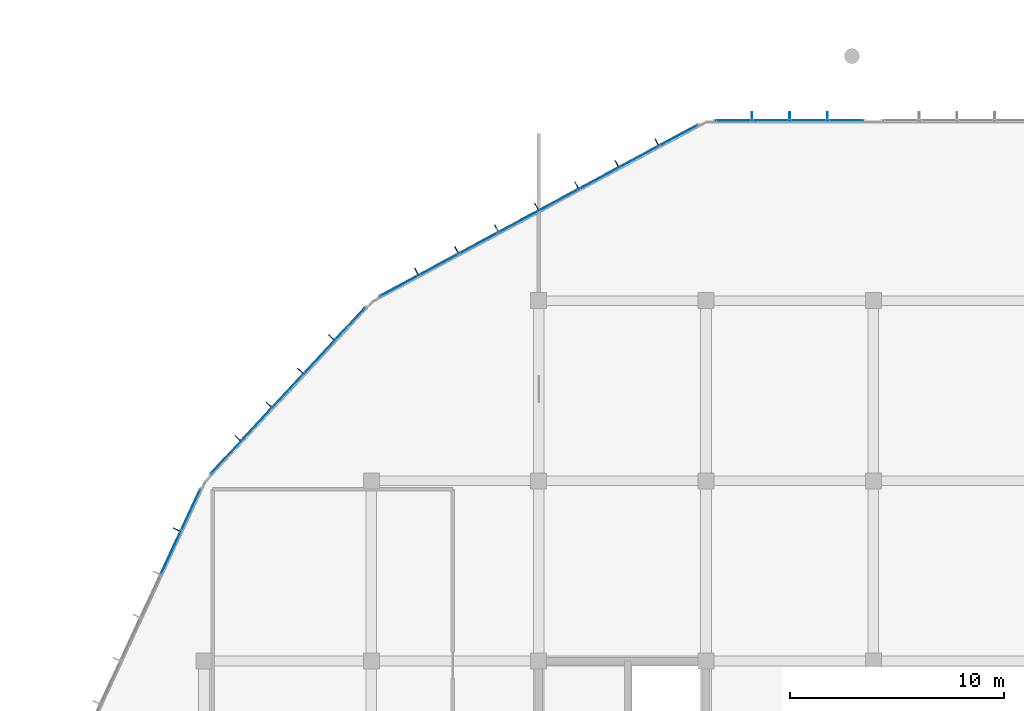
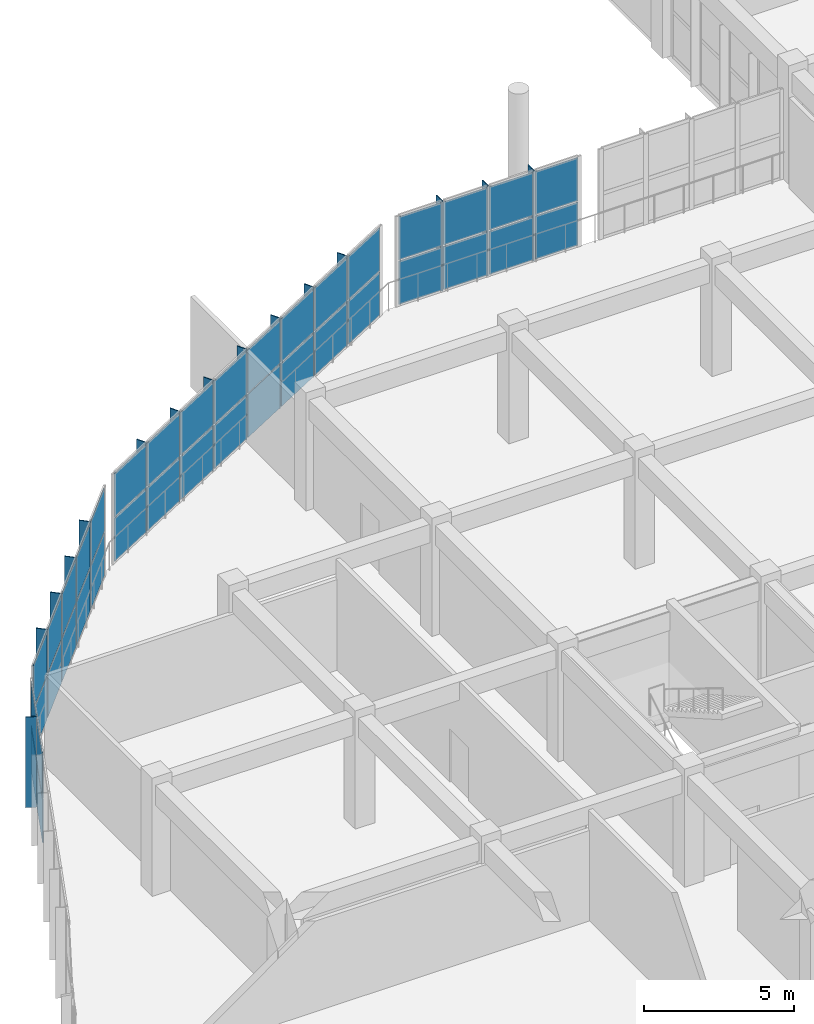
# One storey, part 140 of 175: 53 plates, 4 elements without a shape of their own.
"""IFC4 building model written with IfcOpenShell, lengths in metres."""

from ifc_helpers import new_model, si_unit, direction, frame, origin, origin_2d, place, context, subcontext, project, spatial, polyline, rectangle, outline, extrude, material, layer, layer_set, type_object, element, aggregate, save


model = new_model("IFC4")

# Units and contexts
model_context = context("Model", 3, precision=1e-05, world=origin(), true_north=direction((0.0, 1.0)))
body_context = subcontext(model_context, "Body", "Model", "MODEL_VIEW")
ifc_project = project(units=[si_unit("LENGTHUNIT", "METRE"), si_unit("AREAUNIT", "SQUARE_METRE"), si_unit("VOLUMEUNIT", "CUBIC_METRE"), si_unit("PLANEANGLEUNIT", "RADIAN"), si_unit("MASSUNIT", "GRAM", prefix="KILO")], contexts=[model_context])

# Site, building, storey
site_placement = place(None, origin())
site = spatial("IfcSite", under=ifc_project, at=site_placement, CompositionType="ELEMENT")
building_placement = place(site_placement, origin())
building = spatial("IfcBuilding", under=site, at=building_placement, Name="Zizhar Promenade General Hospital", CompositionType="ELEMENT")
storey_placement = place(building_placement, frame((0.0, 0.0, 4.800048828125)))
storey = spatial("IfcBuildingStorey", under=building, at=storey_placement, Name="L01", CompositionType="ELEMENT", Elevation=4.800048828125)

# Curtain wall, plates
ifc_material_1 = material(Name="Anodised aluminium 6063-T6 and low-E glass", Category="aluminium")
ifc_layer_1 = layer(ifc_material_1, 0.159912109375)
ifc_layer_set_1 = layer_set([ifc_layer_1], Name="Anodised aluminium 6063-T6 and low-E glass")
curtain_wall_type = type_object("IfcCurtainWallType", Name="CW-DT-MOD2", PredefinedType="NOTDEFINED", material=ifc_layer_set_1)
curtain_wall_1_placement = place(storey_placement, origin())
curtain_wall_1 = element("IfcCurtainWall", 1, at=curtain_wall_1_placement, inside=storey, type_object=curtain_wall_type, Name="West Diagnostic Arm Glazed Curtain Wall L01-NW1", PredefinedType="NOTDEFINED")
ifc_material_2 = material(Name="Low-E solar-control glass", Category="glass")
ifc_layer_2 = layer(ifc_material_2, 0.031982421875)
ifc_layer_set_2 = layer_set([ifc_layer_2], Name="Low-E solar-control glass")
plate_type_1 = type_object("IfcPlateType", Name="CWP-GLZ-32", PredefinedType="CURTAIN_PANEL", material=ifc_layer_set_2)
plate_1_placement = place(storey_placement, frame((6.237548828125, 63.83447265625, 0.06005859375), z_axis=(0.0, 0.0, 1.0), x_axis=(0.421114945486, 0.907007278189, 0.0)))
plate_1 = element("IfcPlate", 2, at=plate_1_placement, type_object=plate_type_1, Name="CW-08 panel 7.1", PredefinedType="CURTAIN_PANEL", context=body_context, shape_type="SweptSolid", body=[
    extrude(rectangle(XDim=2.140380859375, YDim=0.031982421875, at=origin_2d()), origin(), (0.0, 0.0, 1.0), 1.75),
])
plate_2_placement = place(storey_placement, frame((6.237548828125, 63.83447265625, 1.869873046875), z_axis=(0.0, 0.0, 1.0), x_axis=(0.421114945486, 0.907007278189, 0.0)))
plate_2 = element("IfcPlate", 3, at=plate_2_placement, type_object=plate_type_1, Name="CW-08 panel 7.2", PredefinedType="CURTAIN_PANEL", context=body_context, shape_type="SweptSolid", body=[
    extrude(rectangle(XDim=2.140380859375, YDim=0.031982421875, at=origin_2d()), origin(), (0.0, 0.0, 1.0), 1.75),
])
plate_3_placement = place(storey_placement, frame((7.1640625, 65.830322265625, 0.06005859375), z_axis=(0.0, 0.0, 1.0), x_axis=(0.421114945486, 0.907007278189, 0.0)))
plate_3 = element("IfcPlate", 4, at=plate_3_placement, type_object=plate_type_1, Name="CW-08 panel 8.1", PredefinedType="CURTAIN_PANEL", context=body_context, shape_type="SweptSolid", body=[
    extrude(rectangle(XDim=2.100341796875, YDim=0.031982421875, at=origin_2d()), origin(), (0.0, 0.0, 1.0), 1.75),
])
plate_4_placement = place(storey_placement, frame((7.1640625, 65.830322265625, 1.869873046875), z_axis=(0.0, 0.0, 1.0), x_axis=(0.421114945486, 0.907007278189, 0.0)))
plate_4 = element("IfcPlate", 5, at=plate_4_placement, type_object=plate_type_1, Name="CW-08 panel 8.2", PredefinedType="CURTAIN_PANEL", context=body_context, shape_type="SweptSolid", body=[
    extrude(rectangle(XDim=2.100341796875, YDim=0.031982421875, at=origin_2d()), origin(), (0.0, 0.0, 1.0), 1.75),
])
aggregate(curtain_wall_1, [plate_1, plate_2, plate_3, plate_4])

curtain_wall_2_placement = place(storey_placement, origin())
curtain_wall_2 = element("IfcCurtainWall", 6, at=curtain_wall_2_placement, inside=storey, type_object=curtain_wall_type, Name="West Diagnostic Arm Glazed Curtain Wall L01-NW2", PredefinedType="NOTDEFINED")
plate_5_placement = place(storey_placement, frame((8.800537109375, 68.27734375, 0.06005859375), z_axis=(0.0, 0.0, 1.0), x_axis=(0.680451816108, 0.732792826081, 0.0)))
plate_5 = element("IfcPlate", 7, at=plate_5_placement, type_object=plate_type_1, Name="CW-08 panel 1.1", PredefinedType="CURTAIN_PANEL", context=body_context, shape_type="SweptSolid", body=[
    extrude(rectangle(XDim=2.0205078125, YDim=0.031982421875, at=origin_2d()), origin(), (0.0, 0.0, 1.0), 1.75),
])
plate_6_placement = place(storey_placement, frame((8.800537109375, 68.27734375, 1.869873046875), z_axis=(0.0, 0.0, 1.0), x_axis=(0.680451816108, 0.732792826081, 0.0)))
plate_6 = element("IfcPlate", 8, at=plate_6_placement, type_object=plate_type_1, Name="CW-08 panel 1.2", PredefinedType="CURTAIN_PANEL", context=body_context, shape_type="SweptSolid", body=[
    extrude(rectangle(XDim=2.0205078125, YDim=0.031982421875, at=origin_2d()), origin(), (0.0, 0.0, 1.0), 1.75),
])
plate_7_placement = place(storey_placement, frame((10.243408203125, 69.831298828125, 0.06005859375), z_axis=(0.0, 0.0, 1.0), x_axis=(0.680451816108, 0.732792826081, 0.0)))
plate_7 = element("IfcPlate", 9, at=plate_7_placement, type_object=plate_type_1, Name="CW-08 panel 2.1", PredefinedType="CURTAIN_PANEL", context=body_context, shape_type="SweptSolid", body=[
    extrude(rectangle(XDim=2.060546875, YDim=0.031982421875, at=origin_2d()), origin(), (0.0, 0.0, 1.0), 1.75),
])
plate_8_placement = place(storey_placement, frame((10.243408203125, 69.831298828125, 1.869873046875), z_axis=(0.0, 0.0, 1.0), x_axis=(0.680451816108, 0.732792826081, 0.0)))
plate_8 = element("IfcPlate", 10, at=plate_8_placement, type_object=plate_type_1, Name="CW-08 panel 2.2", PredefinedType="CURTAIN_PANEL", context=body_context, shape_type="SweptSolid", body=[
    extrude(rectangle(XDim=2.060546875, YDim=0.031982421875, at=origin_2d()), origin(), (0.0, 0.0, 1.0), 1.75),
])
plate_9_placement = place(storey_placement, frame((11.699951171875, 71.39990234375, 0.06005859375), z_axis=(0.0, 0.0, 1.0), x_axis=(0.680451816108, 0.732792826081, 0.0)))
plate_9 = element("IfcPlate", 11, at=plate_9_placement, type_object=plate_type_1, Name="CW-08 panel 3.1", PredefinedType="CURTAIN_PANEL", context=body_context, shape_type="SweptSolid", body=[
    extrude(rectangle(XDim=2.060546875, YDim=0.031982421875, at=origin_2d()), origin(), (0.0, 0.0, 1.0), 1.75),
])
plate_10_placement = place(storey_placement, frame((11.699951171875, 71.39990234375, 1.869873046875), z_axis=(0.0, 0.0, 1.0), x_axis=(0.680451816108, 0.732792826081, 0.0)))
plate_10 = element("IfcPlate", 12, at=plate_10_placement, type_object=plate_type_1, Name="CW-08 panel 3.2", PredefinedType="CURTAIN_PANEL", context=body_context, shape_type="SweptSolid", body=[
    extrude(rectangle(XDim=2.060546875, YDim=0.031982421875, at=origin_2d()), origin(), (0.0, 0.0, 1.0), 1.75),
])
plate_11_placement = place(storey_placement, frame((13.156494140625, 72.968505859375, 0.06005859375), z_axis=(0.0, 0.0, 1.0), x_axis=(0.680451816108, 0.732792826081, 0.0)))
plate_11 = element("IfcPlate", 13, at=plate_11_placement, type_object=plate_type_1, Name="CW-08 panel 4.1", PredefinedType="CURTAIN_PANEL", context=body_context, shape_type="SweptSolid", body=[
    extrude(rectangle(XDim=2.060546875, YDim=0.031982421875, at=origin_2d()), origin(), (0.0, 0.0, 1.0), 1.75),
])
plate_12_placement = place(storey_placement, frame((13.156494140625, 72.968505859375, 1.869873046875), z_axis=(0.0, 0.0, 1.0), x_axis=(0.680451816108, 0.732792826081, 0.0)))
plate_12 = element("IfcPlate", 14, at=plate_12_placement, type_object=plate_type_1, Name="CW-08 panel 4.2", PredefinedType="CURTAIN_PANEL", context=body_context, shape_type="SweptSolid", body=[
    extrude(rectangle(XDim=2.060546875, YDim=0.031982421875, at=origin_2d()), origin(), (0.0, 0.0, 1.0), 1.75),
])
plate_13_placement = place(storey_placement, frame((14.599609375, 74.5224609375, 0.06005859375), z_axis=(0.0, 0.0, 1.0), x_axis=(0.680451816108, 0.732792826081, 0.0)))
plate_13 = element("IfcPlate", 15, at=plate_13_placement, type_object=plate_type_1, Name="CW-08 panel 5.1", PredefinedType="CURTAIN_PANEL", context=body_context, shape_type="SweptSolid", body=[
    extrude(rectangle(XDim=2.0205078125, YDim=0.031982421875, at=origin_2d()), origin(), (0.0, 0.0, 1.0), 1.75),
])
plate_14_placement = place(storey_placement, frame((14.599609375, 74.5224609375, 1.869873046875), z_axis=(0.0, 0.0, 1.0), x_axis=(0.680451816108, 0.732792826081, 0.0)))
plate_14 = element("IfcPlate", 16, at=plate_14_placement, type_object=plate_type_1, Name="CW-08 panel 5.2", PredefinedType="CURTAIN_PANEL", context=body_context, shape_type="SweptSolid", body=[
    extrude(rectangle(XDim=2.0205078125, YDim=0.031982421875, at=origin_2d()), origin(), (0.0, 0.0, 1.0), 1.75),
])
aggregate(curtain_wall_2, [plate_5, plate_6, plate_7, plate_8, plate_9, plate_10, plate_11, plate_12, plate_13, plate_14])

curtain_wall_3_placement = place(storey_placement, origin())
curtain_wall_3 = element("IfcCurtainWall", 17, at=curtain_wall_3_placement, inside=storey, type_object=curtain_wall_type, Name="West Diagnostic Arm Glazed Curtain Wall L01-NW3", PredefinedType="NOTDEFINED")
plate_15_placement = place(storey_placement, frame((16.885498046875, 76.292236328125, 0.06005859375), z_axis=(0.0, 0.0, 1.0), x_axis=(0.880472614749, 0.474097009774, 0.0)))
plate_15 = element("IfcPlate", 18, at=plate_15_placement, type_object=plate_type_1, Name="CW-08 panel 1.1", PredefinedType="CURTAIN_PANEL", context=body_context, shape_type="SweptSolid", body=[
    extrude(rectangle(XDim=1.999755859375, YDim=0.031982421875, at=origin_2d()), origin(), (0.0, 0.0, 1.0), 1.75),
])
plate_16_placement = place(storey_placement, frame((16.885498046875, 76.292236328125, 1.869873046875), z_axis=(0.0, 0.0, 1.0), x_axis=(0.880472614749, 0.474097009774, 0.0)))
plate_16 = element("IfcPlate", 19, at=plate_16_placement, type_object=plate_type_1, Name="CW-08 panel 1.2", PredefinedType="CURTAIN_PANEL", context=body_context, shape_type="SweptSolid", body=[
    extrude(rectangle(XDim=1.999755859375, YDim=0.031982421875, at=origin_2d()), origin(), (0.0, 0.0, 1.0), 1.75),
])
plate_17_placement = place(storey_placement, frame((18.734130859375, 77.28759765625, 0.06005859375), z_axis=(0.0, 0.0, 1.0), x_axis=(0.880472614749, 0.474097009774, 0.0)))
plate_17 = element("IfcPlate", 20, at=plate_17_placement, type_object=plate_type_1, Name="CW-08 panel 2.1", PredefinedType="CURTAIN_PANEL", context=body_context, shape_type="SweptSolid", body=[
    extrude(rectangle(XDim=2.039794921875, YDim=0.031982421875, at=origin_2d()), origin(), (0.0, 0.0, 1.0), 1.75),
])
plate_18_placement = place(storey_placement, frame((18.734130859375, 77.28759765625, 1.869873046875), z_axis=(0.0, 0.0, 1.0), x_axis=(0.880472614749, 0.474097009774, 0.0)))
plate_18 = element("IfcPlate", 21, at=plate_18_placement, type_object=plate_type_1, Name="CW-08 panel 2.2", PredefinedType="CURTAIN_PANEL", context=body_context, shape_type="SweptSolid", body=[
    extrude(rectangle(XDim=2.039794921875, YDim=0.031982421875, at=origin_2d()), origin(), (0.0, 0.0, 1.0), 1.75),
])
plate_19_placement = place(storey_placement, frame((20.6005859375, 78.29248046875, 0.06005859375), z_axis=(0.0, 0.0, 1.0), x_axis=(0.880472614749, 0.474097009774, 0.0)))
plate_19 = element("IfcPlate", 22, at=plate_19_placement, type_object=plate_type_1, Name="CW-08 panel 3.1", PredefinedType="CURTAIN_PANEL", context=body_context, shape_type="SweptSolid", body=[
    extrude(rectangle(XDim=2.039794921875, YDim=0.031982421875, at=origin_2d()), origin(), (0.0, 0.0, 1.0), 1.75),
])
plate_20_placement = place(storey_placement, frame((20.6005859375, 78.29248046875, 1.869873046875), z_axis=(0.0, 0.0, 1.0), x_axis=(0.880472614749, 0.474097009774, 0.0)))
plate_20 = element("IfcPlate", 23, at=plate_20_placement, type_object=plate_type_1, Name="CW-08 panel 3.2", PredefinedType="CURTAIN_PANEL", context=body_context, shape_type="SweptSolid", body=[
    extrude(rectangle(XDim=2.039794921875, YDim=0.031982421875, at=origin_2d()), origin(), (0.0, 0.0, 1.0), 1.75),
])
plate_21_placement = place(storey_placement, frame((22.466796875, 79.297607421875, 0.06005859375), z_axis=(0.0, 0.0, 1.0), x_axis=(0.880472614749, 0.474097009774, 0.0)))
plate_21 = element("IfcPlate", 24, at=plate_21_placement, type_object=plate_type_1, Name="CW-08 panel 4.1", PredefinedType="CURTAIN_PANEL", context=body_context, shape_type="SweptSolid", body=[
    extrude(rectangle(XDim=2.039794921875, YDim=0.031982421875, at=origin_2d()), origin(), (0.0, 0.0, 1.0), 1.75),
])
plate_22_placement = place(storey_placement, frame((22.466796875, 79.297607421875, 1.869873046875), z_axis=(0.0, 0.0, 1.0), x_axis=(0.880472614749, 0.474097009774, 0.0)))
plate_22 = element("IfcPlate", 25, at=plate_22_placement, type_object=plate_type_1, Name="CW-08 panel 4.2", PredefinedType="CURTAIN_PANEL", context=body_context, shape_type="SweptSolid", body=[
    extrude(rectangle(XDim=2.039794921875, YDim=0.031982421875, at=origin_2d()), origin(), (0.0, 0.0, 1.0), 1.75),
])
plate_23_placement = place(storey_placement, frame((24.333251953125, 80.302490234375, 0.06005859375), z_axis=(0.0, 0.0, 1.0), x_axis=(0.880472614749, 0.474097009774, 0.0)))
plate_23 = element("IfcPlate", 26, at=plate_23_placement, type_object=plate_type_1, Name="CW-08 panel 5.1", PredefinedType="CURTAIN_PANEL", context=body_context, shape_type="SweptSolid", body=[
    extrude(rectangle(XDim=2.039794921875, YDim=0.031982421875, at=origin_2d()), origin(), (0.0, 0.0, 1.0), 1.75),
])
plate_24_placement = place(storey_placement, frame((24.333251953125, 80.302490234375, 1.869873046875), z_axis=(0.0, 0.0, 1.0), x_axis=(0.880472614749, 0.474097009774, 0.0)))
plate_24 = element("IfcPlate", 27, at=plate_24_placement, type_object=plate_type_1, Name="CW-08 panel 5.2", PredefinedType="CURTAIN_PANEL", context=body_context, shape_type="SweptSolid", body=[
    extrude(rectangle(XDim=2.039794921875, YDim=0.031982421875, at=origin_2d()), origin(), (0.0, 0.0, 1.0), 1.75),
])
plate_25_placement = place(storey_placement, frame((26.199462890625, 81.307373046875, 0.06005859375), z_axis=(0.0, 0.0, 1.0), x_axis=(0.880472614749, 0.474097009774, 0.0)))
plate_25 = element("IfcPlate", 28, at=plate_25_placement, type_object=plate_type_1, Name="CW-08 panel 6.1", PredefinedType="CURTAIN_PANEL", context=body_context, shape_type="SweptSolid", body=[
    extrude(rectangle(XDim=2.039794921875, YDim=0.031982421875, at=origin_2d()), origin(), (0.0, 0.0, 1.0), 1.75),
])
plate_26_placement = place(storey_placement, frame((26.199462890625, 81.307373046875, 1.869873046875), z_axis=(0.0, 0.0, 1.0), x_axis=(0.880472614749, 0.474097009774, 0.0)))
plate_26 = element("IfcPlate", 29, at=plate_26_placement, type_object=plate_type_1, Name="CW-08 panel 6.2", PredefinedType="CURTAIN_PANEL", context=body_context, shape_type="SweptSolid", body=[
    extrude(rectangle(XDim=2.039794921875, YDim=0.031982421875, at=origin_2d()), origin(), (0.0, 0.0, 1.0), 1.75),
])
plate_27_placement = place(storey_placement, frame((28.06591796875, 82.312255859375, 0.06005859375), z_axis=(0.0, 0.0, 1.0), x_axis=(0.880472614749, 0.474097009774, 0.0)))
plate_27 = element("IfcPlate", 30, at=plate_27_placement, type_object=plate_type_1, Name="CW-08 panel 7.1", PredefinedType="CURTAIN_PANEL", context=body_context, shape_type="SweptSolid", body=[
    extrude(rectangle(XDim=2.039794921875, YDim=0.031982421875, at=origin_2d()), origin(), (0.0, 0.0, 1.0), 1.75),
])
plate_28_placement = place(storey_placement, frame((28.06591796875, 82.312255859375, 1.869873046875), z_axis=(0.0, 0.0, 1.0), x_axis=(0.880472614749, 0.474097009774, 0.0)))
plate_28 = element("IfcPlate", 31, at=plate_28_placement, type_object=plate_type_1, Name="CW-08 panel 7.2", PredefinedType="CURTAIN_PANEL", context=body_context, shape_type="SweptSolid", body=[
    extrude(rectangle(XDim=2.039794921875, YDim=0.031982421875, at=origin_2d()), origin(), (0.0, 0.0, 1.0), 1.75),
])
plate_29_placement = place(storey_placement, frame((29.91455078125, 83.307861328125, 0.06005859375), z_axis=(0.0, 0.0, 1.0), x_axis=(0.880472614749, 0.474097009774, 0.0)))
plate_29 = element("IfcPlate", 32, at=plate_29_placement, type_object=plate_type_1, Name="CW-08 panel 8.1", PredefinedType="CURTAIN_PANEL", context=body_context, shape_type="SweptSolid", body=[
    extrude(rectangle(XDim=1.999755859375, YDim=0.031982421875, at=origin_2d()), origin(), (0.0, 0.0, 1.0), 1.75),
])
plate_30_placement = place(storey_placement, frame((29.91455078125, 83.307861328125, 1.869873046875), z_axis=(0.0, 0.0, 1.0), x_axis=(0.880472614749, 0.474097009774, 0.0)))
plate_30 = element("IfcPlate", 33, at=plate_30_placement, type_object=plate_type_1, Name="CW-08 panel 8.2", PredefinedType="CURTAIN_PANEL", context=body_context, shape_type="SweptSolid", body=[
    extrude(rectangle(XDim=1.999755859375, YDim=0.031982421875, at=origin_2d()), origin(), (0.0, 0.0, 1.0), 1.75),
])
aggregate(curtain_wall_3, [plate_15, plate_16, plate_17, plate_18, plate_19, plate_20, plate_21, plate_22, plate_23, plate_24, plate_25, plate_26, plate_27, plate_28, plate_29, plate_30])

curtain_wall_4_placement = place(storey_placement, origin())
curtain_wall_4 = element("IfcCurtainWall", 34, at=curtain_wall_4_placement, inside=storey, type_object=curtain_wall_type, Name="West Diagnostic Arm Glazed Curtain Wall L01-N1", PredefinedType="NOTDEFINED")
plate_31_placement = place(storey_placement, frame((32.47998046875, 84.0, 0.06005859375), z_axis=(0.0, 0.0, 1.0), x_axis=(1.0, 0.0, 0.0)))
plate_31 = element("IfcPlate", 35, at=plate_31_placement, type_object=plate_type_1, Name="CW-08 panel 1.1", PredefinedType="CURTAIN_PANEL", context=body_context, shape_type="SweptSolid", body=[
    extrude(rectangle(XDim=1.639892578125, YDim=0.031982421875, at=origin_2d()), origin(), (0.0, 0.0, 1.0), 1.75),
])
plate_32_placement = place(storey_placement, frame((32.47998046875, 84.0, 1.869873046875), z_axis=(0.0, 0.0, 1.0), x_axis=(1.0, 0.0, 0.0)))
plate_32 = element("IfcPlate", 36, at=plate_32_placement, type_object=plate_type_1, Name="CW-08 panel 1.2", PredefinedType="CURTAIN_PANEL", context=body_context, shape_type="SweptSolid", body=[
    extrude(rectangle(XDim=1.639892578125, YDim=0.031982421875, at=origin_2d()), origin(), (0.0, 0.0, 1.0), 1.75),
])
plate_33_placement = place(storey_placement, frame((34.219970703125, 84.0, 0.06005859375), z_axis=(0.0, 0.0, 1.0), x_axis=(1.0, 0.0, 0.0)))
plate_33 = element("IfcPlate", 37, at=plate_33_placement, type_object=plate_type_1, Name="CW-08 panel 2.1", PredefinedType="CURTAIN_PANEL", context=body_context, shape_type="SweptSolid", body=[
    extrude(rectangle(XDim=1.679931640625, YDim=0.031982421875, at=origin_2d()), origin(), (0.0, 0.0, 1.0), 1.75),
])
plate_34_placement = place(storey_placement, frame((34.219970703125, 84.0, 1.869873046875), z_axis=(0.0, 0.0, 1.0), x_axis=(1.0, 0.0, 0.0)))
plate_34 = element("IfcPlate", 38, at=plate_34_placement, type_object=plate_type_1, Name="CW-08 panel 2.2", PredefinedType="CURTAIN_PANEL", context=body_context, shape_type="SweptSolid", body=[
    extrude(rectangle(XDim=1.679931640625, YDim=0.031982421875, at=origin_2d()), origin(), (0.0, 0.0, 1.0), 1.75),
])
plate_35_placement = place(storey_placement, frame((35.97998046875, 84.0, 0.06005859375), z_axis=(0.0, 0.0, 1.0), x_axis=(1.0, 0.0, 0.0)))
plate_35 = element("IfcPlate", 39, at=plate_35_placement, type_object=plate_type_1, Name="CW-08 panel 3.1", PredefinedType="CURTAIN_PANEL", context=body_context, shape_type="SweptSolid", body=[
    extrude(rectangle(XDim=1.679931640625, YDim=0.031982421875, at=origin_2d()), origin(), (0.0, 0.0, 1.0), 1.75),
])
plate_36_placement = place(storey_placement, frame((35.97998046875, 84.0, 1.869873046875), z_axis=(0.0, 0.0, 1.0), x_axis=(1.0, 0.0, 0.0)))
plate_36 = element("IfcPlate", 40, at=plate_36_placement, type_object=plate_type_1, Name="CW-08 panel 3.2", PredefinedType="CURTAIN_PANEL", context=body_context, shape_type="SweptSolid", body=[
    extrude(rectangle(XDim=1.679931640625, YDim=0.031982421875, at=origin_2d()), origin(), (0.0, 0.0, 1.0), 1.75),
])
plate_37_placement = place(storey_placement, frame((37.719970703125, 84.0, 0.06005859375), z_axis=(0.0, 0.0, 1.0), x_axis=(1.0, 0.0, 0.0)))
plate_37 = element("IfcPlate", 41, at=plate_37_placement, type_object=plate_type_1, Name="CW-08 panel 4.1", PredefinedType="CURTAIN_PANEL", context=body_context, shape_type="SweptSolid", body=[
    extrude(rectangle(XDim=1.639892578125, YDim=0.031982421875, at=origin_2d()), origin(), (0.0, 0.0, 1.0), 1.75),
])
plate_38_placement = place(storey_placement, frame((37.719970703125, 84.0, 1.869873046875), z_axis=(0.0, 0.0, 1.0), x_axis=(1.0, 0.0, 0.0)))
plate_38 = element("IfcPlate", 42, at=plate_38_placement, type_object=plate_type_1, Name="CW-08 panel 4.2", PredefinedType="CURTAIN_PANEL", context=body_context, shape_type="SweptSolid", body=[
    extrude(rectangle(XDim=1.639892578125, YDim=0.031982421875, at=origin_2d()), origin(), (0.0, 0.0, 1.0), 1.75),
])
aggregate(curtain_wall_4, [plate_31, plate_32, plate_33, plate_34, plate_35, plate_36, plate_37, plate_38])

# Plates
ifc_material_3 = material(Name="Anodised aluminium 6063-T6", Category="aluminium")
ifc_layer_3 = layer(ifc_material_3, 0.035888671875)
ifc_layer_set_3 = layer_set([ifc_layer_3], Name="Anodised aluminium 6063-T6")
plate_type_2 = type_object("IfcPlateType", Name="FIN-ALU-380", PredefinedType="USERDEFINED", material=ifc_layer_set_3)
plate_39_placement = place(storey_placement, origin())
element("IfcPlate", 43, at=plate_39_placement, inside=storey, type_object=plate_type_2, Name="West Diagnostic Arm Glazed Curtain Wall L01-NW1 Solar Fin 7", ObjectType="SOLAR_SHADE", PredefinedType="USERDEFINED", context=body_context, shape_type="SweptSolid", body=[
    extrude(outline(polyline([(6.697509765625, 64.8251953125), (6.712646484375, 64.85791015625), (6.367919921875, 65.017822265625), (6.352783203125, 64.985107421875), (6.697509765625, 64.8251953125)])), origin(), (0.0, 0.0, 1.0), 3.679931640625),
])
plate_40_placement = place(storey_placement, origin())
element("IfcPlate", 44, at=plate_40_placement, inside=storey, type_object=plate_type_2, Name="West Diagnostic Arm Glazed Curtain Wall L01-NW2 Solar Fin 1", ObjectType="SOLAR_SHADE", PredefinedType="USERDEFINED", context=body_context, shape_type="SweptSolid", body=[
    extrude(outline(polyline([(9.5029296875, 69.033935546875), (9.52734375, 69.060302734375), (9.248779296875, 69.31884765625), (9.224609375, 69.29248046875), (9.5029296875, 69.033935546875)])), origin(), (0.0, 0.0, 1.0), 3.679931640625),
])
plate_41_placement = place(storey_placement, origin())
element("IfcPlate", 45, at=plate_41_placement, inside=storey, type_object=plate_type_2, Name="West Diagnostic Arm Glazed Curtain Wall L01-NW2 Solar Fin 2", ObjectType="SOLAR_SHADE", PredefinedType="USERDEFINED", context=body_context, shape_type="SweptSolid", body=[
    extrude(outline(polyline([(10.95947265625, 70.6025390625), (10.98388671875, 70.62890625), (10.70556640625, 70.887451171875), (10.680908203125, 70.861083984375), (10.95947265625, 70.6025390625)])), origin(), (0.0, 0.0, 1.0), 3.679931640625),
])
plate_42_placement = place(storey_placement, origin())
element("IfcPlate", 46, at=plate_42_placement, inside=storey, type_object=plate_type_2, Name="West Diagnostic Arm Glazed Curtain Wall L01-NW2 Solar Fin 3", ObjectType="SOLAR_SHADE", PredefinedType="USERDEFINED", context=body_context, shape_type="SweptSolid", body=[
    extrude(outline(polyline([(12.416015625, 72.171142578125), (12.4404296875, 72.197509765625), (12.162109375, 72.4560546875), (12.1376953125, 72.4296875), (12.416015625, 72.171142578125)])), origin(), (0.0, 0.0, 1.0), 3.679931640625),
])
plate_43_placement = place(storey_placement, origin())
element("IfcPlate", 47, at=plate_43_placement, inside=storey, type_object=plate_type_2, Name="West Diagnostic Arm Glazed Curtain Wall L01-NW2 Solar Fin 4", ObjectType="SOLAR_SHADE", PredefinedType="USERDEFINED", context=body_context, shape_type="SweptSolid", body=[
    extrude(outline(polyline([(13.87255859375, 73.73974609375), (13.897216796875, 73.76611328125), (13.61865234375, 74.024658203125), (13.593994140625, 73.998291015625), (13.87255859375, 73.73974609375)])), origin(), (0.0, 0.0, 1.0), 3.679931640625),
])
plate_44_placement = place(storey_placement, origin())
element("IfcPlate", 48, at=plate_44_placement, inside=storey, type_object=plate_type_2, Name="West Diagnostic Arm Glazed Curtain Wall L01-NW3 Solar Fin 1", ObjectType="SOLAR_SHADE", PredefinedType="USERDEFINED", context=body_context, shape_type="SweptSolid", body=[
    extrude(outline(polyline([(17.78515625, 76.776611328125), (17.81689453125, 76.793701171875), (17.63671875, 77.12841796875), (17.60498046875, 77.111083984375), (17.78515625, 76.776611328125)])), origin(), (0.0, 0.0, 1.0), 3.679931640625),
])
plate_45_placement = place(storey_placement, origin())
element("IfcPlate", 49, at=plate_45_placement, inside=storey, type_object=plate_type_2, Name="West Diagnostic Arm Glazed Curtain Wall L01-NW3 Solar Fin 2", ObjectType="SOLAR_SHADE", PredefinedType="USERDEFINED", context=body_context, shape_type="SweptSolid", body=[
    extrude(outline(polyline([(19.651611328125, 77.781494140625), (19.68310546875, 77.798583984375), (19.5029296875, 78.13330078125), (19.47119140625, 78.1162109375), (19.651611328125, 77.781494140625)])), origin(), (0.0, 0.0, 1.0), 3.679931640625),
])
plate_46_placement = place(storey_placement, origin())
element("IfcPlate", 50, at=plate_46_placement, inside=storey, type_object=plate_type_2, Name="West Diagnostic Arm Glazed Curtain Wall L01-NW3 Solar Fin 3", ObjectType="SOLAR_SHADE", PredefinedType="USERDEFINED", context=body_context, shape_type="SweptSolid", body=[
    extrude(outline(polyline([(21.517822265625, 78.78662109375), (21.549560546875, 78.8037109375), (21.369384765625, 79.13818359375), (21.337646484375, 79.12109375), (21.517822265625, 78.78662109375)])), origin(), (0.0, 0.0, 1.0), 3.679931640625),
])
plate_47_placement = place(storey_placement, origin())
element("IfcPlate", 51, at=plate_47_placement, inside=storey, type_object=plate_type_2, Name="West Diagnostic Arm Glazed Curtain Wall L01-NW3 Solar Fin 4", ObjectType="SOLAR_SHADE", PredefinedType="USERDEFINED", context=body_context, shape_type="SweptSolid", body=[
    extrude(outline(polyline([(23.38427734375, 79.79150390625), (23.415771484375, 79.80859375), (23.235595703125, 80.14306640625), (23.2041015625, 80.1259765625), (23.38427734375, 79.79150390625)])), origin(), (0.0, 0.0, 1.0), 3.679931640625),
])
plate_48_placement = place(storey_placement, origin())
element("IfcPlate", 52, at=plate_48_placement, inside=storey, type_object=plate_type_2, Name="West Diagnostic Arm Glazed Curtain Wall L01-NW3 Solar Fin 5", ObjectType="SOLAR_SHADE", PredefinedType="USERDEFINED", context=body_context, shape_type="SweptSolid", body=[
    extrude(outline(polyline([(25.25048828125, 80.79638671875), (25.2822265625, 80.8134765625), (25.10205078125, 81.148193359375), (25.0703125, 81.131103515625), (25.25048828125, 80.79638671875)])), origin(), (0.0, 0.0, 1.0), 3.679931640625),
])
plate_49_placement = place(storey_placement, origin())
element("IfcPlate", 53, at=plate_49_placement, inside=storey, type_object=plate_type_2, Name="West Diagnostic Arm Glazed Curtain Wall L01-NW3 Solar Fin 6", ObjectType="SOLAR_SHADE", PredefinedType="USERDEFINED", context=body_context, shape_type="SweptSolid", body=[
    extrude(outline(polyline([(27.116943359375, 81.801513671875), (27.1484375, 81.818359375), (26.968505859375, 82.153076171875), (26.936767578125, 82.135986328125), (27.116943359375, 81.801513671875)])), origin(), (0.0, 0.0, 1.0), 3.679931640625),
])
plate_50_placement = place(storey_placement, origin())
element("IfcPlate", 54, at=plate_50_placement, inside=storey, type_object=plate_type_2, Name="West Diagnostic Arm Glazed Curtain Wall L01-NW3 Solar Fin 7", ObjectType="SOLAR_SHADE", PredefinedType="USERDEFINED", context=body_context, shape_type="SweptSolid", body=[
    extrude(outline(polyline([(28.983154296875, 82.806396484375), (29.014892578125, 82.823486328125), (28.834716796875, 83.157958984375), (28.802978515625, 83.140869140625), (28.983154296875, 82.806396484375)])), origin(), (0.0, 0.0, 1.0), 3.679931640625),
])
plate_51_placement = place(storey_placement, origin())
element("IfcPlate", 55, at=plate_51_placement, inside=storey, type_object=plate_type_2, Name="West Diagnostic Arm Glazed Curtain Wall L01-N1 Solar Fin 1", ObjectType="SOLAR_SHADE", PredefinedType="USERDEFINED", context=body_context, shape_type="SweptSolid", body=[
    extrude(outline(polyline([(33.322021484375, 84.0), (33.35791015625, 84.0), (33.35791015625, 84.3798828125), (33.322021484375, 84.3798828125), (33.322021484375, 84.0)])), origin(), (0.0, 0.0, 1.0), 3.679931640625),
])
plate_52_placement = place(storey_placement, origin())
element("IfcPlate", 56, at=plate_52_placement, inside=storey, type_object=plate_type_2, Name="West Diagnostic Arm Glazed Curtain Wall L01-N1 Solar Fin 2", ObjectType="SOLAR_SHADE", PredefinedType="USERDEFINED", context=body_context, shape_type="SweptSolid", body=[
    extrude(outline(polyline([(35.08203125, 84.0), (35.117919921875, 84.0), (35.117919921875, 84.3798828125), (35.08203125, 84.3798828125), (35.08203125, 84.0)])), origin(), (0.0, 0.0, 1.0), 3.679931640625),
])
plate_53_placement = place(storey_placement, origin())
element("IfcPlate", 57, at=plate_53_placement, inside=storey, type_object=plate_type_2, Name="West Diagnostic Arm Glazed Curtain Wall L01-N1 Solar Fin 3", ObjectType="SOLAR_SHADE", PredefinedType="USERDEFINED", context=body_context, shape_type="SweptSolid", body=[
    extrude(outline(polyline([(36.842041015625, 84.0), (36.8779296875, 84.0), (36.8779296875, 84.3798828125), (36.842041015625, 84.3798828125), (36.842041015625, 84.0)])), origin(), (0.0, 0.0, 1.0), 3.679931640625),
])

save(model, "model.ifc")
